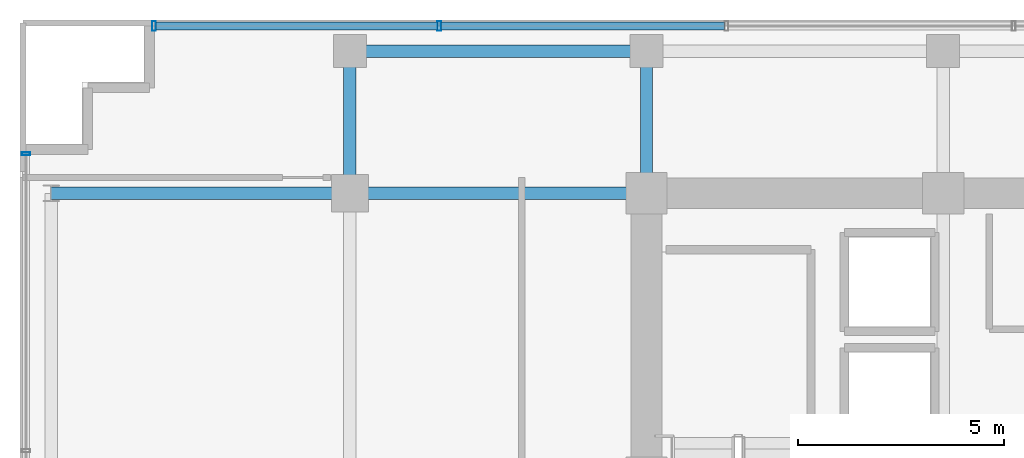
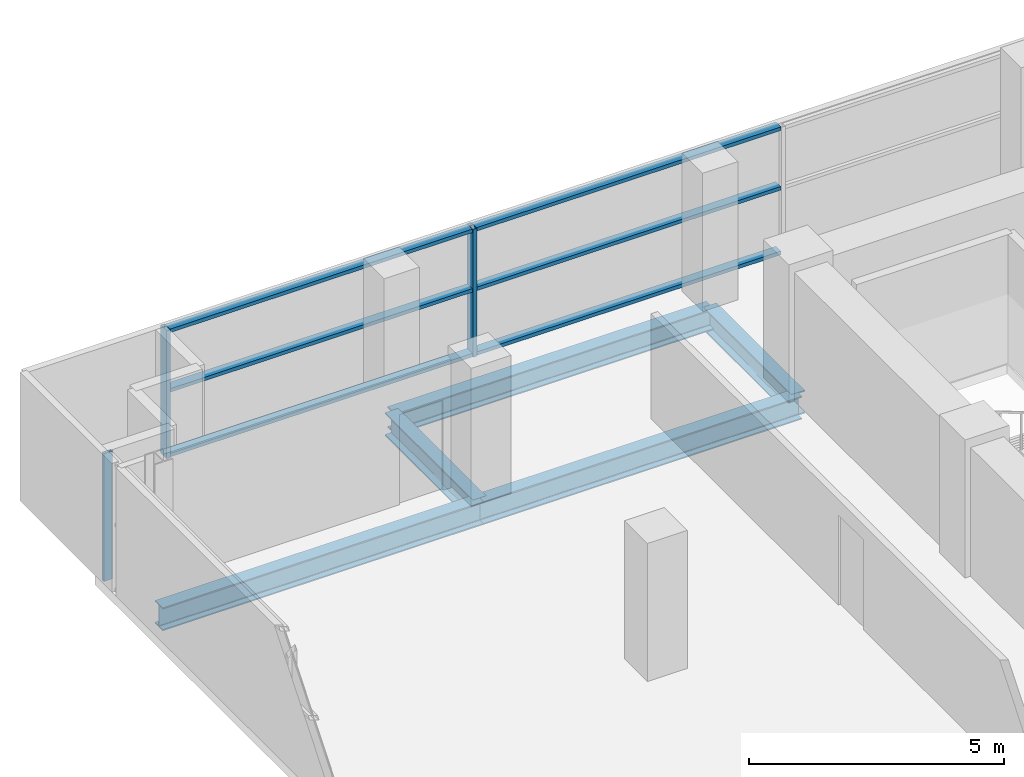
# One storey, part 14 of 25: 9 members, 5 beams, 2 elements without a shape of their own.
"""IFC4 building model written with IfcOpenShell, lengths in metres."""

from ifc_helpers import new_model, si_unit, direction, frame, origin, origin_2d, place, context, subcontext, project, spatial, hollow_rectangle, i_section, extrude, source, transform, mapped, material, layer, layer_set, material_profile, profile_set, type_object, element, aggregate, save


model = new_model("IFC4")

# Units and contexts
model_context = context("Model", 3, precision=1e-05, world=origin(), true_north=direction((0.0, 1.0)))
body_context = subcontext(model_context, "Body", "Model", "MODEL_VIEW")
ifc_project = project(units=[si_unit("LENGTHUNIT", "METRE"), si_unit("AREAUNIT", "SQUARE_METRE"), si_unit("VOLUMEUNIT", "CUBIC_METRE"), si_unit("PLANEANGLEUNIT", "RADIAN"), si_unit("MASSUNIT", "GRAM", prefix="KILO")], contexts=[model_context])

# Site, building, storey
site_placement = place(None, origin())
site = spatial("IfcSite", under=ifc_project, at=site_placement, CompositionType="ELEMENT")
building_placement = place(site_placement, origin())
building = spatial("IfcBuilding", under=site, at=building_placement, Name="Zarnakvel Exchange Tower", CompositionType="ELEMENT")
storey_placement = place(building_placement, frame((0.0, 0.0, 100.0)))
storey = spatial("IfcBuildingStorey", under=building, at=storey_placement, Name="L27", CompositionType="ELEMENT", Elevation=100.0)

# Beams
ifc_material_1 = material(Name="Steel S355", Category="steel")
ifc_material_profile_1 = material_profile(ifc_material_1, i_section(OverallWidth=0.300048828125, OverallDepth=0.550048828125, WebThickness=0.014892578125, FlangeThickness=0.029052734375, FilletRadius=0.027099609375, at=origin_2d()))
ifc_profile_set_1 = profile_set([ifc_material_profile_1], Name="Steel S355")
beam_type_1 = type_object("IfcBeamType", Name="G-05", PredefinedType="BEAM", material=ifc_profile_set_1)
beam_1_placement = place(storey_placement, frame((-28.85009765625, 13.5, -0.5), z_axis=(1.0, 0.0, 0.0), x_axis=(0.0, 1.0, 0.0)))
element("IfcBeam", 1, at=beam_1_placement, inside=storey, type_object=beam_type_1, Name="L27 Tower E-W Frame Beam", PredefinedType="BEAM", context=body_context, shape_type="SweptSolid", body=[
    extrude(i_section(OverallWidth=0.300048828125, OverallDepth=0.550048828125, WebThickness=0.014892578125, FlangeThickness=0.029052734375, FilletRadius=0.027099609375, at=origin_2d()), origin(), (0.0, 0.0, 1.0), 7.25),
])
beam_2_placement = place(storey_placement, frame((-21.60009765625, 13.5, -0.5), z_axis=(1.0, 0.0, 0.0), x_axis=(0.0, 1.0, 0.0)))
element("IfcBeam", 2, at=beam_2_placement, inside=storey, type_object=beam_type_1, Name="L27 Tower E-W Frame Beam", PredefinedType="BEAM", context=body_context, shape_type="SweptSolid", body=[
    extrude(i_section(OverallWidth=0.300048828125, OverallDepth=0.550048828125, WebThickness=0.014892578125, FlangeThickness=0.029052734375, FilletRadius=0.027099609375, at=origin_2d()), origin(), (0.0, 0.0, 1.0), 7.2001953125),
])
for number, where, z_axis, x_axis, name in (
    (3, (-21.60009765625, 13.5, -0.5), (0.0, 1.0, 0.0), (-1.0, 0.0, 0.0), "L27 Tower N-S Frame Beam"),
    (4, (-14.39990234375, 13.5, -0.5), (0.0, 1.0, 0.0), (-1.0, 0.0, 0.0), "L27 Tower N-S Frame Beam"),
):
    element("IfcBeam", number, at=place(storey_placement, frame(where, z_axis=z_axis, x_axis=x_axis)), inside=storey, type_object=beam_type_1, Name=name, PredefinedType="BEAM", context=body_context, shape_type="SweptSolid", body=[
        extrude(i_section(OverallWidth=0.300048828125, OverallDepth=0.550048828125, WebThickness=0.014892578125, FlangeThickness=0.029052734375, FilletRadius=0.027099609375, at=origin_2d()), origin(), (0.0, 0.0, 1.0), 3.449951171875),
    ])
ifc_material_profile_2 = material_profile(ifc_material_1, i_section(OverallWidth=0.300048828125, OverallDepth=0.5, WebThickness=0.014404296875, FlangeThickness=0.028076171875, FilletRadius=0.027099609375, at=origin_2d()))
ifc_profile_set_2 = profile_set([ifc_material_profile_2], Name="Steel S355")
beam_type_2 = type_object("IfcBeamType", Name="SP-02", PredefinedType="SPANDREL", material=ifc_profile_set_2)
beam_3_placement = place(storey_placement, frame((-21.60009765625, 16.949951171875, -0.47509765625), z_axis=(1.0, 0.0, 0.0), x_axis=(0.0, 1.0, 0.0)))
element("IfcBeam", 5, at=beam_3_placement, inside=storey, type_object=beam_type_2, Name="L27 Tower E-W Frame Beam", PredefinedType="SPANDREL", context=body_context, shape_type="SweptSolid", body=[
    extrude(i_section(OverallWidth=0.300048828125, OverallDepth=0.5, WebThickness=0.014404296875, FlangeThickness=0.028076171875, FilletRadius=0.027099609375, at=origin_2d()), origin(), (0.0, 0.0, 1.0), 7.2001953125),
])

# Curtain wall, members
ifc_material_2 = material(Name="Architectural Bronze Anodised Aluminium", Category="aluminium")
ifc_layer_1 = layer(ifc_material_2, 0.239990234375)
ifc_layer_set_1 = layer_set([ifc_layer_1], Name="Architectural Bronze Anodised Aluminium")
curtain_wall_type_1 = type_object("IfcCurtainWallType", Name="CW-02", PredefinedType="NOTDEFINED", material=ifc_layer_set_1)
curtain_wall_1_placement = place(storey_placement, origin())
curtain_wall_1 = element("IfcCurtainWall", 6, at=curtain_wall_1_placement, inside=storey, type_object=curtain_wall_type_1, Name="L27 Curtain Wall CW-L27-N1 (CW-02)", PredefinedType="NOTDEFINED")
ifc_material_profile_3 = material_profile(ifc_material_2, hollow_rectangle(XDim=0.239990234375, YDim=0.090087890625, WallThickness=0.006103515625, at=origin_2d()))
ifc_profile_set_3 = profile_set([ifc_material_profile_3], Name="Architectural Bronze Anodised Aluminium")
member_type_1 = type_object("IfcMemberType", Name="CWM-02", PredefinedType="MULLION", material=ifc_profile_set_3)
shared_shape_1 = source(origin(), body_context, "Body", "SweptSolid", [
    extrude(hollow_rectangle(XDim=0.239990234375, YDim=0.090087890625, WallThickness=0.006103515625, at=origin_2d()), origin(), (0.0, 0.0, 1.0), 3.054931640625),
])
member_1_placement = place(storey_placement, frame((-26.35498046875, 17.56005859375, 0.0), z_axis=(0.0, 0.0, 1.0), x_axis=(0.0, 1.0, 0.0)))
member_1 = element("IfcMember", 7, at=member_1_placement, type_object=member_type_1, Name="CW-02 mullion 1", PredefinedType="MULLION", context=body_context, shape_type="MappedRepresentation", body=[
    mapped(shared_shape_1, transform((0.0, 0.0, 0.0), x_axis=(1.0, 0.0, 0.0), y_axis=(0.0, 1.0, 0.0), z_axis=(0.0, 0.0, 1.0), scale=1.0)),
])
member_2_placement = place(storey_placement, frame((-19.428466796875, 17.56005859375, 0.0), z_axis=(0.0, 0.0, 1.0), x_axis=(0.0, 1.0, 0.0)))
member_2 = element("IfcMember", 8, at=member_2_placement, type_object=member_type_1, Name="CW-02 mullion 2", PredefinedType="MULLION", context=body_context, shape_type="MappedRepresentation", body=[
    mapped(shared_shape_1, transform((0.0, 0.0, 0.0), x_axis=(1.0, 0.0, 0.0), y_axis=(0.0, 1.0, 0.0), z_axis=(0.0, 0.0, 1.0), scale=1.0)),
])

# Curtain wall, member
ifc_layer_2 = layer(ifc_material_2, 0.199951171875)
ifc_layer_set_2 = layer_set([ifc_layer_2], Name="Architectural Bronze Anodised Aluminium")
curtain_wall_type_2 = type_object("IfcCurtainWallType", Name="CW-04", PredefinedType="NOTDEFINED", material=ifc_layer_set_2)
curtain_wall_2_placement = place(storey_placement, origin())
curtain_wall_2 = element("IfcCurtainWall", 9, at=curtain_wall_2_placement, inside=storey, type_object=curtain_wall_type_2, Name="L27 Curtain Wall CW-L27-W1 (CW-04)", PredefinedType="NOTDEFINED")
ifc_material_profile_4 = material_profile(ifc_material_2, hollow_rectangle(XDim=0.199951171875, YDim=0.074951171875, WallThickness=0.0048828125, at=origin_2d()))
ifc_profile_set_4 = profile_set([ifc_material_profile_4], Name="Architectural Bronze Anodised Aluminium")
member_type_2 = type_object("IfcMemberType", Name="CWM-04", PredefinedType="MULLION", material=ifc_profile_set_4)
shared_shape_2 = source(origin(), body_context, "Body", "SweptSolid", [
    extrude(hollow_rectangle(XDim=0.199951171875, YDim=0.074951171875, WallThickness=0.0048828125, at=origin_2d()), origin(), (0.0, 0.0, 1.0), 3.054931640625),
])
member_3_placement = place(storey_placement, frame((-29.4599609375, 14.46240234375, 0.0), z_axis=(0.0, 0.0, 1.0), x_axis=(-1.0, 0.0, 0.0)))
member_3 = element("IfcMember", 10, at=member_3_placement, type_object=member_type_2, Name="CW-04 mullion 5", PredefinedType="MULLION", context=body_context, shape_type="MappedRepresentation", body=[
    mapped(shared_shape_2, transform((0.0, 0.0, 0.0), x_axis=(1.0, 0.0, 0.0), y_axis=(0.0, 1.0, 0.0), z_axis=(0.0, 0.0, 1.0), scale=1.0)),
])
aggregate(curtain_wall_2, [member_3])

# Member
ifc_material_profile_5 = material_profile(ifc_material_2, hollow_rectangle(XDim=0.199951171875, YDim=0.0849609375, WallThickness=0.0048828125, at=origin_2d()))
ifc_profile_set_5 = profile_set([ifc_material_profile_5], Name="Architectural Bronze Anodised Aluminium")
member_type_3 = type_object("IfcMemberType", Name="CWT-02", PredefinedType="USERDEFINED", material=ifc_profile_set_5)
shared_shape_3 = source(origin(), body_context, "Body", "SweptSolid", [
    extrude(hollow_rectangle(XDim=0.199951171875, YDim=0.0849609375, WallThickness=0.0048828125, at=origin_2d()), origin(), (0.0, 0.0, 1.0), 6.83642578125),
])
member_4_placement = place(storey_placement, frame((-26.31005859375, 17.56005859375, 0.04248046875), z_axis=(1.0, 0.0, 0.0), x_axis=(0.0, 1.0, 0.0)))
member_4 = element("IfcMember", 11, at=member_4_placement, type_object=member_type_3, Name="CW-02 transom 1.1", ObjectType="TRANSOM", PredefinedType="USERDEFINED", context=body_context, shape_type="MappedRepresentation", body=[
    mapped(shared_shape_3, transform((0.0, 0.0, 0.0), x_axis=(1.0, 0.0, 0.0), y_axis=(0.0, 1.0, 0.0), z_axis=(0.0, 0.0, 1.0), scale=1.0)),
])

member_5_placement = place(storey_placement, frame((-26.31005859375, 17.56005859375, 1.588623046875), z_axis=(1.0, 0.0, 0.0), x_axis=(0.0, 1.0, 0.0)))
member_5 = element("IfcMember", 12, at=member_5_placement, type_object=member_type_3, Name="CW-02 transom 1.2", ObjectType="TRANSOM", PredefinedType="USERDEFINED", context=body_context, shape_type="MappedRepresentation", body=[
    mapped(shared_shape_3, transform((0.0, 0.0, 0.0), x_axis=(1.0, 0.0, 0.0), y_axis=(0.0, 1.0, 0.0), z_axis=(0.0, 0.0, 1.0), scale=1.0)),
])

member_6_placement = place(storey_placement, frame((-26.31005859375, 17.56005859375, 3.012451171875), z_axis=(1.0, 0.0, 0.0), x_axis=(0.0, 1.0, 0.0)))
member_6 = element("IfcMember", 13, at=member_6_placement, type_object=member_type_3, Name="CW-02 transom 1.3", ObjectType="TRANSOM", PredefinedType="USERDEFINED", context=body_context, shape_type="MappedRepresentation", body=[
    mapped(shared_shape_3, transform((0.0, 0.0, 0.0), x_axis=(1.0, 0.0, 0.0), y_axis=(0.0, 1.0, 0.0), z_axis=(0.0, 0.0, 1.0), scale=1.0)),
])

shared_shape_4 = source(origin(), body_context, "Body", "SweptSolid", [
    extrude(hollow_rectangle(XDim=0.199951171875, YDim=0.0849609375, WallThickness=0.0048828125, at=origin_2d()), origin(), (0.0, 0.0, 1.0), 6.88134765625),
])
member_7_placement = place(storey_placement, frame((-19.383544921875, 17.56005859375, 0.04248046875), z_axis=(1.0, 0.0, 0.0), x_axis=(0.0, 1.0, 0.0)))
member_7 = element("IfcMember", 14, at=member_7_placement, type_object=member_type_3, Name="CW-02 transom 2.1", ObjectType="TRANSOM", PredefinedType="USERDEFINED", context=body_context, shape_type="MappedRepresentation", body=[
    mapped(shared_shape_4, transform((0.0, 0.0, 0.0), x_axis=(1.0, 0.0, 0.0), y_axis=(0.0, 1.0, 0.0), z_axis=(0.0, 0.0, 1.0), scale=1.0)),
])

member_8_placement = place(storey_placement, frame((-19.383544921875, 17.56005859375, 1.588623046875), z_axis=(1.0, 0.0, 0.0), x_axis=(0.0, 1.0, 0.0)))
member_8 = element("IfcMember", 15, at=member_8_placement, type_object=member_type_3, Name="CW-02 transom 2.2", ObjectType="TRANSOM", PredefinedType="USERDEFINED", context=body_context, shape_type="MappedRepresentation", body=[
    mapped(shared_shape_4, transform((0.0, 0.0, 0.0), x_axis=(1.0, 0.0, 0.0), y_axis=(0.0, 1.0, 0.0), z_axis=(0.0, 0.0, 1.0), scale=1.0)),
])

member_9_placement = place(storey_placement, frame((-19.383544921875, 17.56005859375, 3.012451171875), z_axis=(1.0, 0.0, 0.0), x_axis=(0.0, 1.0, 0.0)))
member_9 = element("IfcMember", 16, at=member_9_placement, type_object=member_type_3, Name="CW-02 transom 2.3", ObjectType="TRANSOM", PredefinedType="USERDEFINED", context=body_context, shape_type="MappedRepresentation", body=[
    mapped(shared_shape_4, transform((0.0, 0.0, 0.0), x_axis=(1.0, 0.0, 0.0), y_axis=(0.0, 1.0, 0.0), z_axis=(0.0, 0.0, 1.0), scale=1.0)),
])

aggregate(curtain_wall_1, [member_1, member_2, member_4, member_5, member_6, member_7, member_8, member_9])

save(model, "model.ifc")
